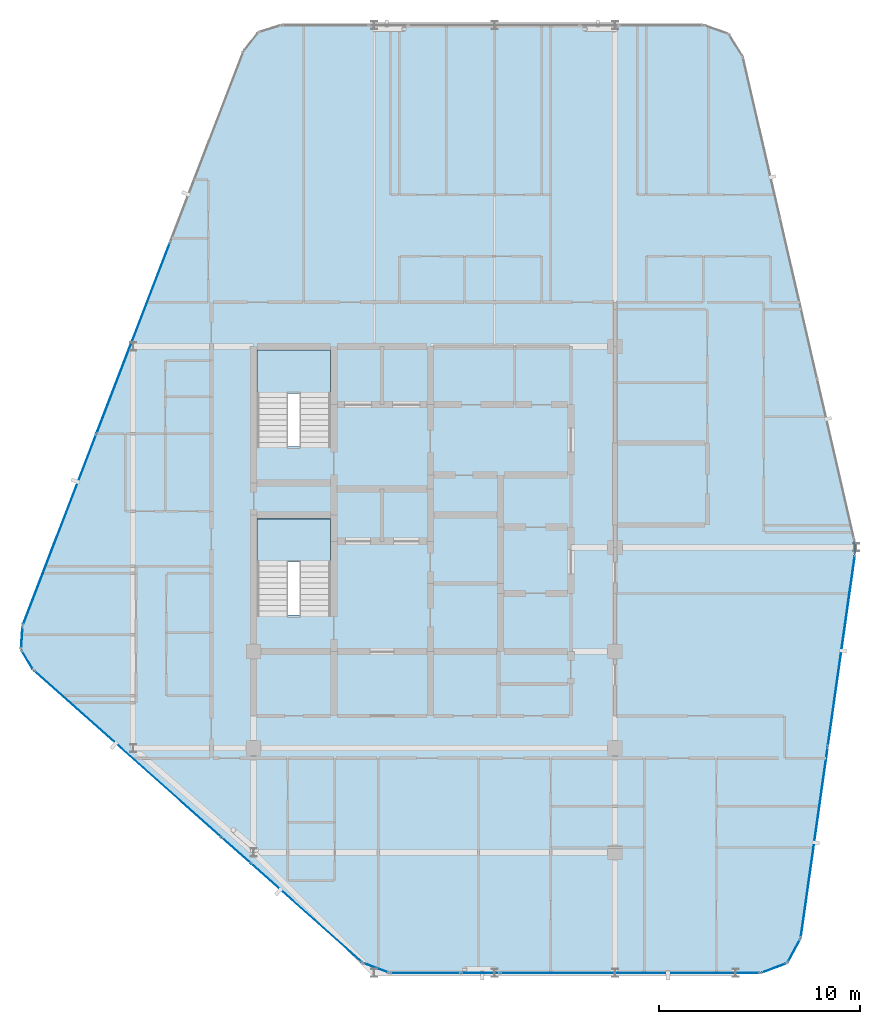
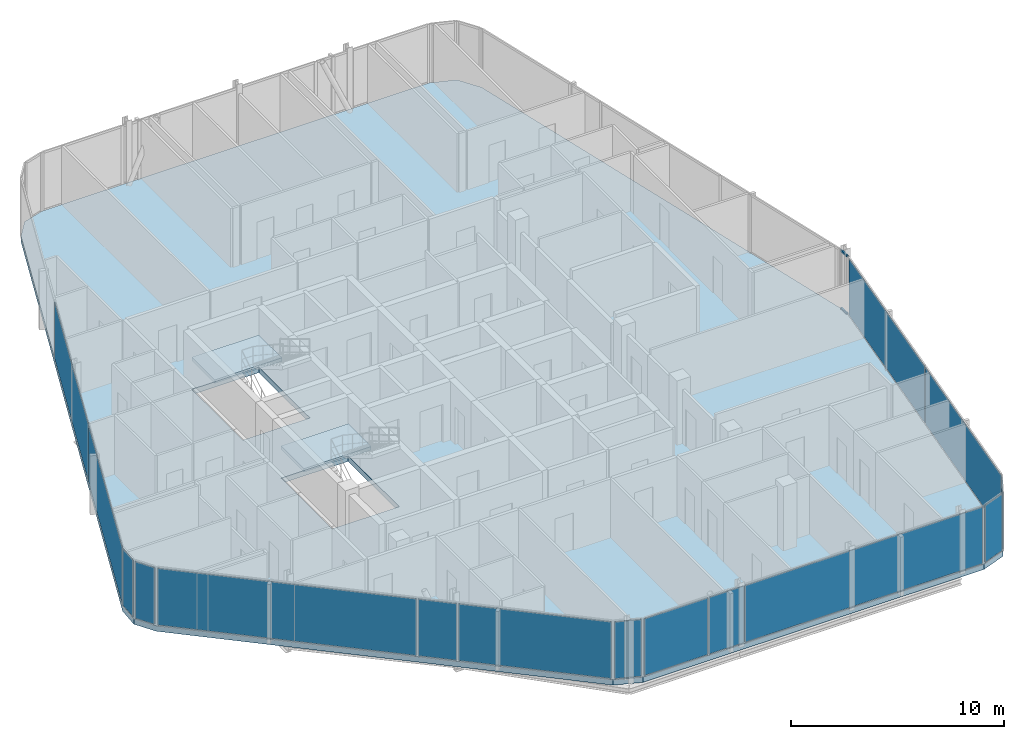
# One storey, part 20 of 28: 15 plates, 3 slabs, 2 members, 16 elements without a shape of their own.
"""IFC4 building model written with IfcOpenShell, lengths in metres."""

from ifc_helpers import new_model, si_unit, direction, frame, origin, origin_2d, place, context, subcontext, project, spatial, polyline, rectangle, hollow_rectangle, outline, extrude, material, layer, layer_set, material_profile, profile_set, type_object, element, aggregate, save


model = new_model("IFC4")

# Units and contexts
model_context = context("Model", 3, precision=1e-05, world=origin(), true_north=direction((0.0, 1.0)))
body_context = subcontext(model_context, "Body", "Model", "MODEL_VIEW")
ifc_project = project(units=[si_unit("LENGTHUNIT", "METRE"), si_unit("AREAUNIT", "SQUARE_METRE"), si_unit("VOLUMEUNIT", "CUBIC_METRE"), si_unit("PLANEANGLEUNIT", "RADIAN"), si_unit("MASSUNIT", "GRAM", prefix="KILO")], contexts=[model_context])

# Site, building, storey
site_placement = place(None, origin())
site = spatial("IfcSite", under=ifc_project, at=site_placement, CompositionType="ELEMENT")
building_placement = place(site_placement, origin())
building = spatial("IfcBuilding", under=site, at=building_placement, Name="Keshet Zoharim Tower", CompositionType="ELEMENT")
storey_placement = place(building_placement, frame((0.0, 0.0, 265.800048828125)))
storey = spatial("IfcBuildingStorey", under=building, at=storey_placement, Name="L66", CompositionType="ELEMENT", Elevation=265.800048828125)

# Curtain wall, members
ifc_material_1 = material(Name="Aluminium 6063-T6", Category="aluminium")
ifc_layer_1 = layer(ifc_material_1, 0.260009765625)
ifc_layer_set_1 = layer_set([ifc_layer_1], Name="Aluminium 6063-T6")
curtain_wall_type = type_object("IfcCurtainWallType", Name="CW-SYS-06", PredefinedType="NOTDEFINED", material=ifc_layer_set_1)
curtain_wall_1_placement = place(storey_placement, origin())
curtain_wall_1 = element("IfcCurtainWall", 1, at=curtain_wall_1_placement, inside=storey, type_object=curtain_wall_type, Name="L66 Unitised Curtain Wall 10", PredefinedType="NOTDEFINED")
ifc_material_profile = material_profile(ifc_material_1, hollow_rectangle(XDim=0.074951171875, YDim=0.1201171875, WallThickness=0.00390625, at=origin_2d()), Name="TRN-75x120")
ifc_profile_set = profile_set([ifc_material_profile], Name="Aluminium 6063-T6")
member_type = type_object("IfcMemberType", Name="CWT-T12", PredefinedType="USERDEFINED", material=ifc_profile_set)
member_1_placement = place(storey_placement, frame((44.9189453125, 28.192138671875, 0.034912109375), z_axis=(0.043813905352, -0.99903970977, 0.0), x_axis=(0.99903970977, 0.043813905352, 0.0)))
member_1 = element("IfcMember", 2, at=member_1_placement, type_object=member_type, Name="CW-06 transom 1.1", ObjectType="TRANSOM", PredefinedType="USERDEFINED", context=body_context, shape_type="SweptSolid", body=[
    extrude(hollow_rectangle(XDim=0.074951171875, YDim=0.1201171875, WallThickness=0.00390625, at=origin_2d()), origin(), (0.0, 0.0, 1.0), 0.590576171875),
])
member_2_placement = place(storey_placement, frame((44.9189453125, 28.192138671875, 3.35498046875), z_axis=(0.043813905352, -0.99903970977, 0.0), x_axis=(0.99903970977, 0.043813905352, 0.0)))
member_2 = element("IfcMember", 3, at=member_2_placement, type_object=member_type, Name="CW-06 transom 1.2", ObjectType="TRANSOM", PredefinedType="USERDEFINED", context=body_context, shape_type="SweptSolid", body=[
    extrude(hollow_rectangle(XDim=0.074951171875, YDim=0.1201171875, WallThickness=0.00390625, at=origin_2d()), origin(), (0.0, 0.0, 1.0), 0.590576171875),
])
aggregate(curtain_wall_1, [member_1, member_2])

# Curtain wall, plate
curtain_wall_2_placement = place(storey_placement, origin())
curtain_wall_2 = element("IfcCurtainWall", 4, at=curtain_wall_2_placement, inside=storey, type_object=curtain_wall_type, Name="L66 Unitised Curtain Wall 01", PredefinedType="NOTDEFINED")
ifc_material_2 = material(Name="Insulated Low-E Clear Glass", Category="glass")
ifc_layer_2 = layer(ifc_material_2, 0.028076171875)
ifc_layer_set_2 = layer_set([ifc_layer_2], Name="Insulated Low-E Clear Glass")
plate_type_1 = type_object("IfcPlateType", Name="CWP-03", PredefinedType="CURTAIN_PANEL", material=ifc_layer_set_2)
plate_1_placement = place(storey_placement, frame((3.7275390625, 22.291015625, 0.070068359375), z_axis=(0.0, 0.0, 1.0), x_axis=(-0.515604947933, 0.856826433805, 0.0)))
plate_1 = element("IfcPlate", 5, at=plate_1_placement, type_object=plate_type_1, Name="CW-06 panel 1.1", PredefinedType="CURTAIN_PANEL", context=body_context, shape_type="SweptSolid", body=[
    extrude(rectangle(XDim=1.052734375, YDim=0.028076171875, at=origin_2d()), origin(), (0.0, 0.0, 1.0), 3.25),
])
aggregate(curtain_wall_2, [plate_1])

curtain_wall_3_placement = place(storey_placement, origin())
curtain_wall_3 = element("IfcCurtainWall", 6, at=curtain_wall_3_placement, inside=storey, type_object=curtain_wall_type, Name="L66 Unitised Curtain Wall 02", PredefinedType="NOTDEFINED")
plate_2_placement = place(storey_placement, frame((3.45849609375, 23.3974609375, 0.070068359375), z_axis=(0.0, 0.0, 1.0), x_axis=(0.064516859374, 0.997916617186, 0.0)))
plate_2 = element("IfcPlate", 7, at=plate_2_placement, type_object=plate_type_1, Name="CW-06 panel 1.1", PredefinedType="CURTAIN_PANEL", context=body_context, shape_type="SweptSolid", body=[
    extrude(rectangle(XDim=1.053466796875, YDim=0.028076171875, at=origin_2d()), origin(), (0.0, 0.0, 1.0), 3.25),
])
aggregate(curtain_wall_3, [plate_2])

# Curtain wall, plates
curtain_wall_4_placement = place(storey_placement, origin())
curtain_wall_4 = element("IfcCurtainWall", 8, at=curtain_wall_4_placement, inside=storey, type_object=curtain_wall_type, Name="L66 Unitised Curtain Wall 03", PredefinedType="NOTDEFINED")
plate_3_placement = place(storey_placement, frame((5.33837890625, 28.7802734375, 0.070068359375), z_axis=(0.0, 0.0, 1.0), x_axis=(0.358990003907, 0.933341404361, 0.0)))
plate_3 = element("IfcPlate", 9, at=plate_3_placement, type_object=plate_type_1, Name="CW-06 panel 1.1", PredefinedType="CURTAIN_PANEL", context=body_context, shape_type="SweptSolid", body=[
    extrude(rectangle(XDim=10.1181640625, YDim=0.028076171875, at=origin_2d()), origin(), (0.0, 0.0, 1.0), 3.25),
])
plate_4_placement = place(storey_placement, frame((9.001953125, 38.305419921875, 0.070068359375), z_axis=(0.0, 0.0, 1.0), x_axis=(0.358990003907, 0.933341404361, 0.0)))
plate_4 = element("IfcPlate", 10, at=plate_4_placement, type_object=plate_type_1, Name="CW-06 panel 2.1", PredefinedType="CURTAIN_PANEL", context=body_context, shape_type="SweptSolid", body=[
    extrude(rectangle(XDim=10.153076171875, YDim=0.028076171875, at=origin_2d()), origin(), (0.0, 0.0, 1.0), 3.25),
])
aggregate(curtain_wall_4, [plate_3, plate_4])

curtain_wall_5_placement = place(storey_placement, origin())
curtain_wall_5 = element("IfcCurtainWall", 11, at=curtain_wall_5_placement, inside=storey, type_object=curtain_wall_type, Name="L66 Unitised Curtain Wall 11", PredefinedType="NOTDEFINED")
plate_5_placement = place(storey_placement, frame((44.269287109375, 22.736572265625, 0.070068359375), z_axis=(0.0, 0.0, 1.0), x_axis=(-0.140137464177, -0.990132057422, 0.0)))
plate_5 = element("IfcPlate", 12, at=plate_5_placement, type_object=plate_type_1, Name="CW-06 panel 1.1", PredefinedType="CURTAIN_PANEL", context=body_context, shape_type="SweptSolid", body=[
    extrude(rectangle(XDim=9.546142578125, YDim=0.028076171875, at=origin_2d()), origin(), (0.0, 0.0, 1.0), 3.25),
])
plate_6_placement = place(storey_placement, frame((42.921630859375, 13.21533203125, 0.070068359375), z_axis=(0.0, 0.0, 1.0), x_axis=(-0.140137464177, -0.990132057422, 0.0)))
plate_6 = element("IfcPlate", 13, at=plate_6_placement, type_object=plate_type_1, Name="CW-06 panel 2.1", PredefinedType="CURTAIN_PANEL", context=body_context, shape_type="SweptSolid", body=[
    extrude(rectangle(XDim=9.546142578125, YDim=0.028076171875, at=origin_2d()), origin(), (0.0, 0.0, 1.0), 3.25),
])
aggregate(curtain_wall_5, [plate_5, plate_6])

# Curtain wall, plate
curtain_wall_6_placement = place(storey_placement, origin())
curtain_wall_6 = element("IfcCurtainWall", 14, at=curtain_wall_6_placement, inside=storey, type_object=curtain_wall_type, Name="L66 Unitised Curtain Wall 12", PredefinedType="NOTDEFINED")
plate_7_placement = place(storey_placement, frame((41.908447265625, 7.804931640625, 0.070068359375), z_axis=(0.0, 0.0, 1.0), x_axis=(-0.477800955789, -0.878468125004, 0.0)))
plate_7 = element("IfcPlate", 15, at=plate_7_placement, type_object=plate_type_1, Name="CW-06 panel 1.1", PredefinedType="CURTAIN_PANEL", context=body_context, shape_type="SweptSolid", body=[
    extrude(rectangle(XDim=1.26025390625, YDim=0.028076171875, at=origin_2d()), origin(), (0.0, 0.0, 1.0), 3.25),
])
aggregate(curtain_wall_6, [plate_7])

curtain_wall_7_placement = place(storey_placement, origin())
curtain_wall_7 = element("IfcCurtainWall", 16, at=curtain_wall_7_placement, inside=storey, type_object=curtain_wall_type, Name="L66 Unitised Curtain Wall 13", PredefinedType="NOTDEFINED")
plate_8_placement = place(storey_placement, frame((40.91845703125, 6.945068359375, 0.070068359375), z_axis=(0.0, 0.0, 1.0), x_axis=(-0.936710343781, -0.350105315376, 0.0)))
plate_8 = element("IfcPlate", 17, at=plate_8_placement, type_object=plate_type_1, Name="CW-06 panel 1.1", PredefinedType="CURTAIN_PANEL", context=body_context, shape_type="SweptSolid", body=[
    extrude(rectangle(XDim=1.259521484375, YDim=0.028076171875, at=origin_2d()), origin(), (0.0, 0.0, 1.0), 3.25),
])
aggregate(curtain_wall_7, [plate_8])

curtain_wall_8_placement = place(storey_placement, origin())
curtain_wall_8 = element("IfcCurtainWall", 18, at=curtain_wall_8_placement, inside=storey, type_object=curtain_wall_type, Name="L66 Unitised Curtain Wall 14", PredefinedType="NOTDEFINED")
plate_9_placement = place(storey_placement, frame((33.743896484375, 6.699951171875, 0.070068359375), z_axis=(0.0, 0.0, 1.0), x_axis=(-1.0, 0.0, 0.0)))
plate_9 = element("IfcPlate", 19, at=plate_9_placement, type_object=plate_type_1, Name="CW-06 panel 1.1", PredefinedType="CURTAIN_PANEL", context=body_context, shape_type="SweptSolid", body=[
    extrude(rectangle(XDim=12.898193359375, YDim=0.028076171875, at=origin_2d()), origin(), (0.0, 0.0, 1.0), 3.25),
])
aggregate(curtain_wall_8, [plate_9])

curtain_wall_9_placement = place(storey_placement, origin())
curtain_wall_9 = element("IfcCurtainWall", 20, at=curtain_wall_9_placement, inside=storey, type_object=curtain_wall_type, Name="L66 Unitised Curtain Wall 14 Part 3", PredefinedType="NOTDEFINED")
plate_10_placement = place(storey_placement, frame((23.552490234375, 6.699951171875, 0.070068359375), z_axis=(0.0, 0.0, 1.0), x_axis=(-1.0, 0.0, 0.0)))
plate_10 = element("IfcPlate", 21, at=plate_10_placement, type_object=plate_type_1, Name="CW-06 panel 1.1", PredefinedType="CURTAIN_PANEL", context=body_context, shape_type="SweptSolid", body=[
    extrude(rectangle(XDim=3.4453125, YDim=0.028076171875, at=origin_2d()), origin(), (0.0, 0.0, 1.0), 3.25),
])
aggregate(curtain_wall_9, [plate_10])

curtain_wall_10_placement = place(storey_placement, origin())
curtain_wall_10 = element("IfcCurtainWall", 22, at=curtain_wall_10_placement, inside=storey, type_object=curtain_wall_type, Name="L66 Unitised Curtain Wall 15", PredefinedType="NOTDEFINED")
plate_11_placement = place(storey_placement, frame((21.095947265625, 6.952392578125, 0.070068359375), z_axis=(0.0, 0.0, 1.0), x_axis=(-0.934699418314, 0.355439161326, 0.0)))
plate_11 = element("IfcPlate", 23, at=plate_11_placement, type_object=plate_type_1, Name="CW-06 panel 1.1", PredefinedType="CURTAIN_PANEL", context=body_context, shape_type="SweptSolid", body=[
    extrude(rectangle(XDim=1.28076171875, YDim=0.028076171875, at=origin_2d()), origin(), (0.0, 0.0, 1.0), 3.25),
])
aggregate(curtain_wall_10, [plate_11])

curtain_wall_11_placement = place(storey_placement, origin())
curtain_wall_11 = element("IfcCurtainWall", 24, at=curtain_wall_11_placement, inside=storey, type_object=curtain_wall_type, Name="L66 Unitised Curtain Wall 16", PredefinedType="NOTDEFINED")
plate_12_placement = place(storey_placement, frame((17.634521484375, 9.691650390625, 0.070068359375), z_axis=(0.0, 0.0, 1.0), x_axis=(-0.747410792699, 0.664362180559, 0.0)))
plate_12 = element("IfcPlate", 25, at=plate_12_placement, type_object=plate_type_1, Name="CW-06 panel 1.1", PredefinedType="CURTAIN_PANEL", context=body_context, shape_type="SweptSolid", body=[
    extrude(rectangle(XDim=7.345947265625, YDim=0.028076171875, at=origin_2d()), origin(), (0.0, 0.0, 1.0), 3.25),
])
aggregate(curtain_wall_11, [plate_12])

curtain_wall_12_placement = place(storey_placement, origin())
curtain_wall_12 = element("IfcCurtainWall", 26, at=curtain_wall_12_placement, inside=storey, type_object=curtain_wall_type, Name="L66 Unitised Curtain Wall 16 Part 3", PredefinedType="NOTDEFINED")
plate_13_placement = place(storey_placement, frame((8.7333984375, 17.603515625, 0.070068359375), z_axis=(0.0, 0.0, 1.0), x_axis=(-0.747409318679, 0.664363838836, 0.0)))
plate_13 = element("IfcPlate", 27, at=plate_13_placement, type_object=plate_type_1, Name="CW-06 panel 1.1", PredefinedType="CURTAIN_PANEL", context=body_context, shape_type="SweptSolid", body=[
    extrude(rectangle(XDim=12.432861328125, YDim=0.028076171875, at=origin_2d()), origin(), (0.0, 0.0, 1.0), 3.25),
])
aggregate(curtain_wall_12, [plate_13])

curtain_wall_13_placement = place(storey_placement, origin())
curtain_wall_13 = element("IfcCurtainWall", 28, at=curtain_wall_13_placement, inside=storey, type_object=curtain_wall_type, Name="L66 Unitised Curtain Wall 14 Part 2", PredefinedType="NOTDEFINED")
ifc_material_3 = material(Name="Insulated Aluminium Spandrel Panel", Category="aluminium")
ifc_layer_3 = layer(ifc_material_3, 0.028076171875)
ifc_layer_set_3 = layer_set([ifc_layer_3], Name="Insulated Aluminium Spandrel Panel")
plate_type_2 = type_object("IfcPlateType", Name="CWP-06", PredefinedType="CURTAIN_PANEL", material=ifc_layer_set_3)
plate_14_placement = place(storey_placement, frame((26.284912109375, 6.699951171875, 0.070068359375), z_axis=(0.0, 0.0, 1.0), x_axis=(-1.0, 0.0, 0.0)))
plate_14 = element("IfcPlate", 29, at=plate_14_placement, type_object=plate_type_2, Name="CW-06 spandrel panel 1.1", PredefinedType="CURTAIN_PANEL", context=body_context, shape_type="SweptSolid", body=[
    extrude(rectangle(XDim=1.879638671875, YDim=0.028076171875, at=origin_2d()), origin(), (0.0, 0.0, 1.0), 3.25),
])
aggregate(curtain_wall_13, [plate_14])

curtain_wall_14_placement = place(storey_placement, origin())
curtain_wall_14 = element("IfcCurtainWall", 30, at=curtain_wall_14_placement, inside=storey, type_object=curtain_wall_type, Name="L66 Unitised Curtain Wall 16 Part 2", PredefinedType="NOTDEFINED")
plate_15_placement = place(storey_placement, frame((14.134521484375, 12.802734375, 0.070068359375), z_axis=(0.0, 0.0, 1.0), x_axis=(-0.747431957629, 0.664338369143, 0.0)))
plate_15 = element("IfcPlate", 31, at=plate_15_placement, type_object=plate_type_2, Name="CW-06 spandrel panel 1.1", PredefinedType="CURTAIN_PANEL", context=body_context, shape_type="SweptSolid", body=[
    extrude(rectangle(XDim=1.879638671875, YDim=0.028076171875, at=origin_2d()), origin(), (0.0, 0.0, 1.0), 3.25),
])
aggregate(curtain_wall_14, [plate_15])

# Stair, slab
ifc_material_4 = material(Name="Concrete C50/60", Category="concrete")
stair_type = type_object("IfcStairType", Name="STR-EXIT-135", PredefinedType="HALF_TURN_STAIR", material=ifc_material_4)
stair_1_placement = place(storey_placement, origin())
stair_1 = element("IfcStair", 32, at=stair_1_placement, inside=storey, type_object=stair_type, Name="L66 Enclosed Exit Stair ST-01", PredefinedType="HALF_TURN_STAIR")
ifc_layer_4 = layer(ifc_material_4, 0.199951171875)
ifc_layer_set_4 = layer_set([ifc_layer_4], Name="Concrete C50/60")
slab_type_1 = type_object("IfcSlabType", Name="SLB-LND-200", PredefinedType="LANDING", material=ifc_layer_set_4)
slab_1_placement = place(storey_placement, frame((0.0, 0.0, 1.64990234375)))
slab_1 = element("IfcSlab", 33, at=slab_1_placement, type_object=slab_type_1, Name="ST-01 landing 1", PredefinedType="LANDING", context=body_context, shape_type="SweptSolid", body=[
    extrude(outline(polyline([(15.179931640625, 27.159912109375), (18.820068359375, 27.159912109375), (18.820068359375, 29.320068359375), (15.179931640625, 29.320068359375), (15.179931640625, 27.159912109375)])), origin(), (0.0, 0.0, 1.0), 0.199951171875),
])
aggregate(stair_1, [slab_1])

stair_2_placement = place(storey_placement, origin())
stair_2 = element("IfcStair", 34, at=stair_2_placement, inside=storey, type_object=stair_type, Name="L66 Enclosed Exit Stair ST-02", PredefinedType="HALF_TURN_STAIR")
slab_2_placement = place(storey_placement, frame((0.0, 0.0, 1.64990234375)))
slab_2 = element("IfcSlab", 35, at=slab_2_placement, type_object=slab_type_1, Name="ST-02 landing 1", PredefinedType="LANDING", context=body_context, shape_type="SweptSolid", body=[
    extrude(outline(polyline([(15.179931640625, 35.56005859375), (18.820068359375, 35.56005859375), (18.820068359375, 37.719970703125), (15.179931640625, 37.719970703125), (15.179931640625, 35.56005859375)])), origin(), (0.0, 0.0, 1.0), 0.199951171875),
])
aggregate(stair_2, [slab_2])

# Slab
ifc_layer_5 = layer(ifc_material_4, 0.31005859375)
ifc_layer_set_5 = layer_set([ifc_layer_5], Name="Concrete C50/60")
slab_type_2 = type_object("IfcSlabType", Name="SLB-UPP-240", PredefinedType="FLOOR", material=ifc_layer_set_5)
slab_3_placement = place(storey_placement, frame((0.0, 0.0, -0.31005859375)))
element("IfcSlab", 36, at=slab_3_placement, inside=storey, type_object=slab_type_2, Name="L66 Structural Floor Slab 1", PredefinedType="FLOOR", context=body_context, shape_type="SweptSolid", body=[
    extrude(outline(polyline([(4.034912109375, 21.780029296875), (3.419921875, 22.802001953125), (3.4970703125, 23.992919921875), (14.507080078125, 52.617919921875), (15.240966796875, 53.549072265625), (16.3740234375, 53.89990234375), (37.408935546875, 53.89990234375), (38.654052734375, 53.465087890625), (39.35791015625, 52.35009765625), (44.916015625, 28.261962890625), (44.947998046875, 27.531982421875), (42.242919921875, 8.419921875), (41.573974609375, 7.18994140625), (40.262939453125, 6.699951171875), (21.760009765625, 6.699951171875), (20.431884765625, 7.205078125), (4.034912109375, 21.780029296875)]), holes=[polyline([(15.179931640625, 24.52001953125), (18.820068359375, 24.52001953125), (18.820068359375, 29.320068359375), (15.179931640625, 29.320068359375), (15.179931640625, 24.52001953125)]), polyline([(15.179931640625, 32.919921875), (18.820068359375, 32.919921875), (18.820068359375, 37.719970703125), (15.179931640625, 37.719970703125), (15.179931640625, 32.919921875)])]), origin(), (0.0, 0.0, 1.0), 0.31005859375),
])

save(model, "model.ifc")
